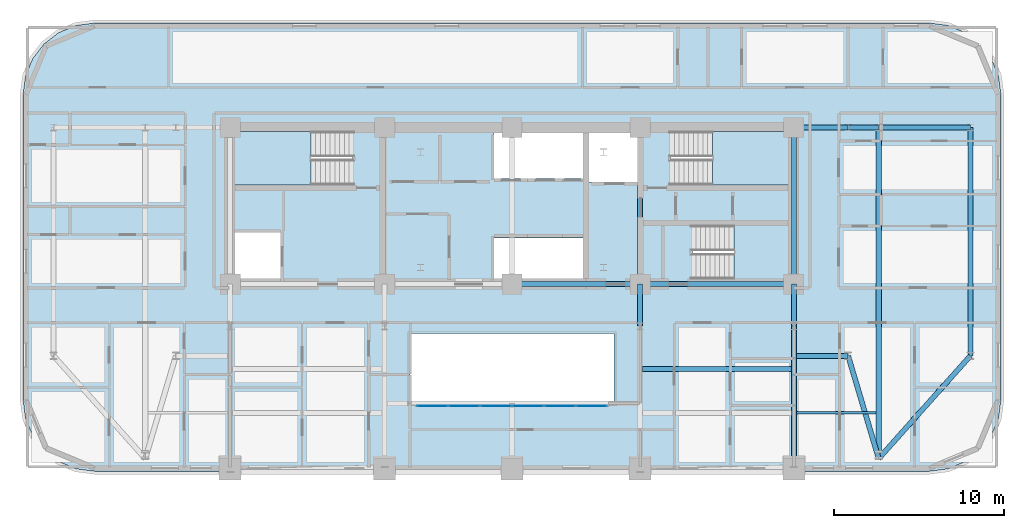
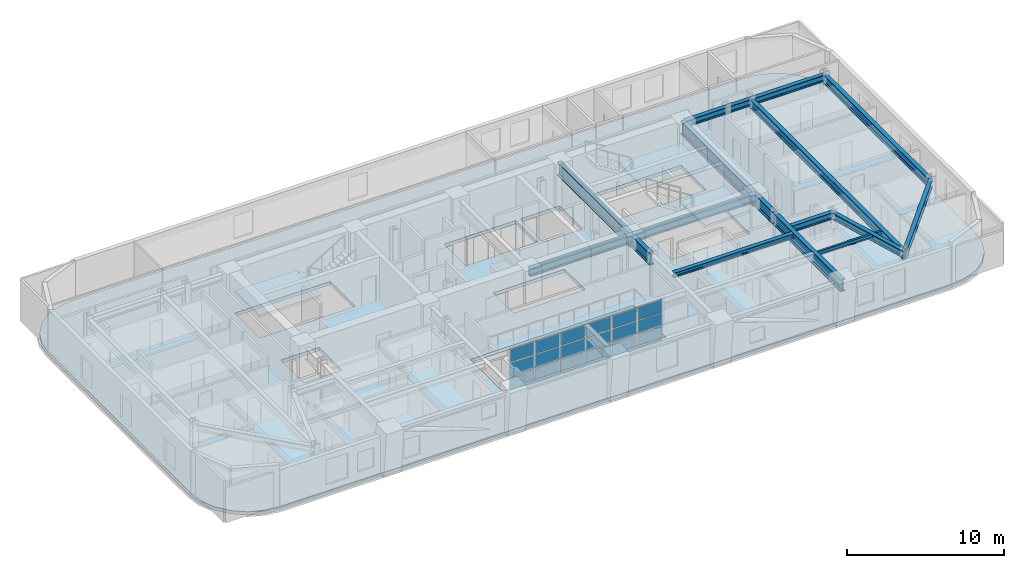
# One storey, part 6 of 16: 18 plates, 17 beams, 4 slabs, 4 elements without a shape of their own.
"""IFC4 building model written with IfcOpenShell, lengths in metres."""

from ifc_helpers import new_model, si_unit, direction, frame, origin, origin_2d, place, context, subcontext, project, spatial, polyline, rectangle, i_section, outline, extrude, material, layer, layer_set, material_profile, profile_set, type_object, element, aggregate, save


model = new_model("IFC4")

# Units and contexts
model_context = context("Model", 3, precision=1e-05, world=origin(), true_north=direction((0.0, 1.0)))
body_context = subcontext(model_context, "Body", "Model", "MODEL_VIEW")
ifc_project = project(units=[si_unit("LENGTHUNIT", "METRE"), si_unit("AREAUNIT", "SQUARE_METRE"), si_unit("VOLUMEUNIT", "CUBIC_METRE"), si_unit("PLANEANGLEUNIT", "RADIAN"), si_unit("MASSUNIT", "GRAM", prefix="KILO")], contexts=[model_context])

# Site, building, storey
site_placement = place(None, origin())
site = spatial("IfcSite", under=ifc_project, at=site_placement, CompositionType="ELEMENT")
building_placement = place(site_placement, origin())
building = spatial("IfcBuilding", under=site, at=building_placement, Name="Zarnavel Station Tower", CompositionType="ELEMENT")
storey_placement = place(building_placement, frame((0.0, 0.0, 101.300048828125)))
storey = spatial("IfcBuildingStorey", under=building, at=storey_placement, Name="L27", CompositionType="ELEMENT", Elevation=101.300048828125)

# Beams
ifc_material_1 = material(Name="Steel S355J2", Category="steel")
ifc_material_profile_1 = material_profile(ifc_material_1, i_section(OverallWidth=0.300048828125, OverallDepth=0.35009765625, WebThickness=0.010009765625, FlangeThickness=0.017578125, FilletRadius=0.027099609375, at=origin_2d()), Name="HEA360")
ifc_profile_set_1 = profile_set([ifc_material_profile_1], Name="Steel S355J2")
beam_type_1 = type_object("IfcBeamType", Name="FB_HEA360", PredefinedType="BEAM", material=ifc_profile_set_1)
beam_1_placement = place(storey_placement, frame((36.4951171875, 22.818115234375, 3.06494140625), z_axis=(1.0, 0.0, 0.0), x_axis=(0.0, 1.0, 0.0)))
element("IfcBeam", 1, at=beam_1_placement, inside=storey, type_object=beam_type_1, Name="L27 East Bay Beam 2", PredefinedType="BEAM", context=body_context, shape_type="SweptSolid", body=[
    extrude(i_section(OverallWidth=0.300048828125, OverallDepth=0.35009765625, WebThickness=0.010009765625, FlangeThickness=0.017578125, FilletRadius=0.027099609375, at=origin_2d()), origin(), (0.0, 0.0, 1.0), 8.759765625),
])
ifc_material_2 = material(Name="Steel S355J2", Category="steel")
ifc_material_profile_2 = material_profile(ifc_material_2, i_section(OverallWidth=0.300048828125, OverallDepth=0.5, WebThickness=0.014404296875, FlangeThickness=0.028076171875, FilletRadius=0.027099609375, at=origin_2d()), Name="HEB500")
ifc_profile_set_2 = profile_set([ifc_material_profile_2], Name="Steel S355J2")
beam_type_2 = type_object("IfcBeamType", Name="FG_HEB500", PredefinedType="USERDEFINED", material=ifc_profile_set_2)
for number, where, z_axis, x_axis, name in (
    (2, (45.544921875, 23.60009765625, 2.989990234375), (1.0, 0.0, 0.0), (0.0, 1.0, 0.0), "L27 East Wing South Tie 1"),
    (3, (45.544921875, 37.050048828125, 2.989990234375), (1.0, 0.0, 0.0), (0.0, 1.0, 0.0), "L27 East Wing North Tie 1"),
):
    element("IfcBeam", number, at=place(storey_placement, frame(where, z_axis=z_axis, x_axis=x_axis)), inside=storey, type_object=beam_type_2, Name=name, ObjectType="GIRDER", PredefinedType="USERDEFINED", context=body_context, shape_type="SweptSolid", body=[
        extrude(i_section(OverallWidth=0.300048828125, OverallDepth=0.5, WebThickness=0.014404296875, FlangeThickness=0.028076171875, FilletRadius=0.027099609375, at=origin_2d()), origin(), (0.0, 0.0, 1.0), 3.05517578125),
    ])
beam_2_placement = place(storey_placement, frame((48.60009765625, 23.60009765625, 2.989990234375), z_axis=(0.284935715394, -0.958546628022, 0.0), x_axis=(0.958546628022, 0.284935715394, 0.0)))
element("IfcBeam", 4, at=beam_2_placement, inside=storey, type_object=beam_type_2, Name="L27 East Wing South Tie 2", ObjectType="GIRDER", PredefinedType="USERDEFINED", context=body_context, shape_type="SweptSolid", body=[
    extrude(i_section(OverallWidth=0.300048828125, OverallDepth=0.5, WebThickness=0.014404296875, FlangeThickness=0.028076171875, FilletRadius=0.027099609375, at=origin_2d()), origin(), (0.0, 0.0, 1.0), 6.316650390625),
])
beam_3_placement = place(storey_placement, frame((48.60009765625, 37.050048828125, 2.989990234375), z_axis=(1.0, 0.0, 0.0), x_axis=(0.0, 1.0, 0.0)))
element("IfcBeam", 5, at=beam_3_placement, inside=storey, type_object=beam_type_2, Name="L27 East Wing North Tie 2", ObjectType="GIRDER", PredefinedType="USERDEFINED", context=body_context, shape_type="SweptSolid", body=[
    extrude(i_section(OverallWidth=0.300048828125, OverallDepth=0.5, WebThickness=0.014404296875, FlangeThickness=0.028076171875, FilletRadius=0.027099609375, at=origin_2d()), origin(), (0.0, 0.0, 1.0), 1.7998046875),
])
beam_4_placement = place(storey_placement, frame((50.39990234375, 17.54541015625, 2.989990234375), z_axis=(0.665616205895, 0.746294222442, 0.0), x_axis=(-0.746294222442, 0.665616205895, 0.0)))
element("IfcBeam", 6, at=beam_4_placement, inside=storey, type_object=beam_type_2, Name="L27 East Wing South Tie 3", ObjectType="GIRDER", PredefinedType="USERDEFINED", context=body_context, shape_type="SweptSolid", body=[
    extrude(i_section(OverallWidth=0.300048828125, OverallDepth=0.5, WebThickness=0.014404296875, FlangeThickness=0.028076171875, FilletRadius=0.027099609375, at=origin_2d()), origin(), (0.0, 0.0, 1.0), 8.113037109375),
])
beam_5_placement = place(storey_placement, frame((50.39990234375, 37.050048828125, 2.989990234375), z_axis=(1.0, 0.0, 0.0), x_axis=(0.0, 1.0, 0.0)))
element("IfcBeam", 7, at=beam_5_placement, inside=storey, type_object=beam_type_2, Name="L27 East Wing North Tie 3", ObjectType="GIRDER", PredefinedType="USERDEFINED", context=body_context, shape_type="SweptSolid", body=[
    extrude(i_section(OverallWidth=0.300048828125, OverallDepth=0.5, WebThickness=0.014404296875, FlangeThickness=0.028076171875, FilletRadius=0.027099609375, at=origin_2d()), origin(), (0.0, 0.0, 1.0), 5.400146484375),
])
ifc_material_3 = material(Name="Steel S355J2", Category="steel")
ifc_material_profile_3 = material_profile(ifc_material_3, i_section(OverallWidth=0.300048828125, OverallDepth=0.60009765625, WebThickness=0.015380859375, FlangeThickness=0.030029296875, FilletRadius=0.027099609375, at=origin_2d()), Name="HEB600")
ifc_profile_set_3 = profile_set([ifc_material_profile_3], Name="Steel S355J2")
beam_type_3 = type_object("IfcBeamType", Name="FG_HEB600", PredefinedType="USERDEFINED", material=ifc_profile_set_3)
beam_6_placement = place(storey_placement, frame((28.800048828125, 27.820068359375, 2.93994140625), z_axis=(1.0, 0.0, 0.0), x_axis=(0.0, 1.0, 0.0)))
element("IfcBeam", 8, at=beam_6_placement, inside=storey, type_object=beam_type_3, Name="L27 Core Front Coupling Beam 3", ObjectType="GIRDER", PredefinedType="USERDEFINED", context=body_context, shape_type="SweptSolid", body=[
    extrude(i_section(OverallWidth=0.300048828125, OverallDepth=0.60009765625, WebThickness=0.015380859375, FlangeThickness=0.030029296875, FilletRadius=0.027099609375, at=origin_2d()), origin(), (0.0, 0.0, 1.0), 7.550048828125),
])
beam_7_placement = place(storey_placement, frame((36.35009765625, 27.820068359375, 2.93994140625), z_axis=(1.0, 0.0, 0.0), x_axis=(0.0, 1.0, 0.0)))
element("IfcBeam", 9, at=beam_7_placement, inside=storey, type_object=beam_type_3, Name="L27 Core Front Coupling Beam 4", ObjectType="GIRDER", PredefinedType="USERDEFINED", context=body_context, shape_type="SweptSolid", body=[
    extrude(i_section(OverallWidth=0.300048828125, OverallDepth=0.60009765625, WebThickness=0.015380859375, FlangeThickness=0.030029296875, FilletRadius=0.027099609375, at=origin_2d()), origin(), (0.0, 0.0, 1.0), 9.0498046875),
])
ifc_material_4 = material(Name="Steel S355J2", Category="steel")
ifc_material_profile_4 = material_profile(ifc_material_4, i_section(OverallWidth=0.300048828125, OverallDepth=0.64990234375, WebThickness=0.01611328125, FlangeThickness=0.031005859375, FilletRadius=0.027099609375, at=origin_2d()), Name="HEB650")
ifc_profile_set_4 = profile_set([ifc_material_profile_4], Name="Steel S355J2")
beam_type_4 = type_object("IfcBeamType", Name="FG_HEB650", PredefinedType="USERDEFINED", material=ifc_profile_set_4)
beam_8_placement = place(storey_placement, frame((50.39990234375, 17.54541015625, 2.9150390625), z_axis=(0.0, 1.0, 0.0), x_axis=(-1.0, 0.0, 0.0)))
element("IfcBeam", 10, at=beam_8_placement, inside=storey, type_object=beam_type_4, Name="L27 Wing NS Girder 3", ObjectType="GIRDER", PredefinedType="USERDEFINED", context=body_context, shape_type="SweptSolid", body=[
    extrude(i_section(OverallWidth=0.300048828125, OverallDepth=0.64990234375, WebThickness=0.01611328125, FlangeThickness=0.031005859375, FilletRadius=0.027099609375, at=origin_2d()), origin(), (0.0, 0.0, 1.0), 19.504638671875),
])
beam_9_placement = place(storey_placement, frame((55.800048828125, 23.60009765625, 2.9150390625), z_axis=(0.0, 1.0, 0.0), x_axis=(-1.0, 0.0, 0.0)))
element("IfcBeam", 11, at=beam_9_placement, inside=storey, type_object=beam_type_4, Name="L27 Wing NS Girder 4", ObjectType="GIRDER", PredefinedType="USERDEFINED", context=body_context, shape_type="SweptSolid", body=[
    extrude(i_section(OverallWidth=0.300048828125, OverallDepth=0.64990234375, WebThickness=0.01611328125, FlangeThickness=0.031005859375, FilletRadius=0.027099609375, at=origin_2d()), origin(), (0.0, 0.0, 1.0), 13.449951171875),
])
ifc_material_5 = material(Name="Steel S355J2", Category="steel")
ifc_material_profile_5 = material_profile(ifc_material_5, i_section(OverallWidth=0.14990234375, OverallDepth=0.300048828125, WebThickness=0.007080078125, FlangeThickness=0.0107421875, FilletRadius=0.014892578125, at=origin_2d()), Name="IPE300")
ifc_profile_set_5 = profile_set([ifc_material_profile_5], Name="Steel S355J2")
beam_type_5 = type_object("IfcBeamType", Name="FJ_IPE300", PredefinedType="JOIST", material=ifc_profile_set_5)
beam_10_placement = place(storey_placement, frame((45.544921875, 20.236328125, 3.08984375), z_axis=(1.0, 0.0, 0.0), x_axis=(0.0, 1.0, 0.0)))
element("IfcBeam", 12, at=beam_10_placement, inside=storey, type_object=beam_type_5, Name="L27 East Wing Joist 1", PredefinedType="JOIST", context=body_context, shape_type="SweptSolid", body=[
    extrude(i_section(OverallWidth=0.14990234375, OverallDepth=0.300048828125, WebThickness=0.007080078125, FlangeThickness=0.0107421875, FilletRadius=0.014892578125, at=origin_2d()), origin(), (0.0, 0.0, 1.0), 4.7099609375),
])
ifc_material_6 = material(Name="Steel S460M", Category="steel")
ifc_material_profile_6 = material_profile(ifc_material_6, i_section(OverallWidth=0.302001953125, OverallDepth=1.008056640625, WebThickness=0.02099609375, FlangeThickness=0.0400390625, FilletRadius=0.030029296875, at=origin_2d()), Name="HEM1000")
ifc_profile_set_6 = profile_set([ifc_material_profile_6], Name="Steel S460M")
beam_type_6 = type_object("IfcBeamType", Name="TG_HEM1000", PredefinedType="USERDEFINED", material=ifc_profile_set_6)
for number, where, z_axis, x_axis, name in (
    (13, (36.35009765625, 27.820068359375, 2.73583984375), (0.0, 1.0, 0.0), (-1.0, 0.0, 0.0), "L27 Core Spine Coupling Girder 4"),
    (14, (45.39990234375, 27.820068359375, 2.73583984375), (0.0, 1.0, 0.0), (-1.0, 0.0, 0.0), "L27 Core Spine Coupling Girder 5"),
):
    element("IfcBeam", number, at=place(storey_placement, frame(where, z_axis=z_axis, x_axis=x_axis)), inside=storey, type_object=beam_type_6, Name=name, ObjectType="GIRDER", PredefinedType="USERDEFINED", context=body_context, shape_type="SweptSolid", body=[
        extrude(i_section(OverallWidth=0.302001953125, OverallDepth=1.008056640625, WebThickness=0.02099609375, FlangeThickness=0.0400390625, FilletRadius=0.030029296875, at=origin_2d()), origin(), (0.0, 0.0, 1.0), 9.22998046875),
    ])
ifc_material_7 = material(Name="Steel S460M", Category="steel")
ifc_material_profile_7 = material_profile(ifc_material_7, i_section(OverallWidth=0.302001953125, OverallDepth=0.909912109375, WebThickness=0.02099609375, FlangeThickness=0.0400390625, FilletRadius=0.030029296875, at=origin_2d()), Name="HEM900")
ifc_profile_set_7 = profile_set([ifc_material_profile_7], Name="Steel S460M")
beam_type_7 = type_object("IfcBeamType", Name="TG_HEM900", PredefinedType="USERDEFINED", material=ifc_profile_set_7)
beam_11_placement = place(storey_placement, frame((36.35009765625, 25.35009765625, 2.784912109375), z_axis=(0.0, 1.0, 0.0), x_axis=(-1.0, 0.0, 0.0)))
element("IfcBeam", 15, at=beam_11_placement, inside=storey, type_object=beam_type_7, Name="L27 Inner-Zone NS Girder 4", ObjectType="GIRDER", PredefinedType="USERDEFINED", context=body_context, shape_type="SweptSolid", body=[
    extrude(i_section(OverallWidth=0.302001953125, OverallDepth=0.909912109375, WebThickness=0.02099609375, FlangeThickness=0.0400390625, FilletRadius=0.030029296875, at=origin_2d()), origin(), (0.0, 0.0, 1.0), 2.469970703125),
])
beam_12_placement = place(storey_placement, frame((45.39990234375, 16.754638671875, 2.784912109375), z_axis=(0.0, 1.0, 0.0), x_axis=(-1.0, 0.0, 0.0)))
element("IfcBeam", 16, at=beam_12_placement, inside=storey, type_object=beam_type_7, Name="L27 South-Zone NS Girder 5", ObjectType="GIRDER", PredefinedType="USERDEFINED", context=body_context, shape_type="SweptSolid", body=[
    extrude(i_section(OverallWidth=0.302001953125, OverallDepth=0.909912109375, WebThickness=0.02099609375, FlangeThickness=0.0400390625, FilletRadius=0.030029296875, at=origin_2d()), origin(), (0.0, 0.0, 1.0), 8.595458984375),
])
beam_13_placement = place(storey_placement, frame((45.39990234375, 25.35009765625, 2.784912109375), z_axis=(0.0, 1.0, 0.0), x_axis=(-1.0, 0.0, 0.0)))
element("IfcBeam", 17, at=beam_13_placement, inside=storey, type_object=beam_type_7, Name="L27 Inner-Zone NS Girder 5", ObjectType="GIRDER", PredefinedType="USERDEFINED", context=body_context, shape_type="SweptSolid", body=[
    extrude(i_section(OverallWidth=0.302001953125, OverallDepth=0.909912109375, WebThickness=0.02099609375, FlangeThickness=0.0400390625, FilletRadius=0.030029296875, at=origin_2d()), origin(), (0.0, 0.0, 1.0), 2.469970703125),
])

# Curtain wall, plates
ifc_material_8 = material(Name="Aluminium Dark Anodised and Solar-Control Glass", Category="aluminium")
ifc_layer_1 = layer(ifc_material_8, 0.179931640625)
ifc_layer_set_1 = layer_set([ifc_layer_1], Name="CWS3")
curtain_wall_type = type_object("IfcCurtainWallType", Name="CWS3", PredefinedType="NOTDEFINED", material=ifc_layer_set_1)
curtain_wall_placement = place(storey_placement, origin())
curtain_wall = element("IfcCurtainWall", 18, at=curtain_wall_placement, inside=storey, type_object=curtain_wall_type, Name="L27 Curtain Wall CWS3-L27-AS", PredefinedType="NOTDEFINED")
ifc_material_9 = material(Name="Double Low-E Dark Solar-Control Glass", Category="glass")
ifc_layer_2 = layer(ifc_material_9, 0.030029296875)
ifc_layer_set_2 = layer_set([ifc_layer_2], Name="CWS3_PNL")
plate_type = type_object("IfcPlateType", Name="CWS3_PNL", PredefinedType="CURTAIN_PANEL", material=ifc_layer_set_2)
plate_1_placement = place(storey_placement, frame((24.106689453125, 20.64990234375, 0.06005859375), z_axis=(0.0, 0.0, 1.0), x_axis=(1.0, 0.0, 0.0)))
plate_1 = element("IfcPlate", 19, at=plate_1_placement, type_object=plate_type, Name="CW3 panel 1.1", PredefinedType="CURTAIN_PANEL", context=body_context, shape_type="SweptSolid", body=[
    extrude(rectangle(XDim=1.793212890625, YDim=0.028076171875, at=origin_2d()), origin(), (0.0, 0.0, 1.0), 0.989990234375),
])
plate_2_placement = place(storey_placement, frame((24.106689453125, 20.64990234375, 1.10986328125), z_axis=(0.0, 0.0, 1.0), x_axis=(1.0, 0.0, 0.0)))
plate_2 = element("IfcPlate", 20, at=plate_2_placement, type_object=plate_type, Name="CW3 panel 1.2", PredefinedType="CURTAIN_PANEL", context=body_context, shape_type="SweptSolid", body=[
    extrude(rectangle(XDim=1.793212890625, YDim=0.028076171875, at=origin_2d()), origin(), (0.0, 0.0, 1.0), 1.02001953125),
])
plate_3_placement = place(storey_placement, frame((24.106689453125, 20.64990234375, 2.18994140625), z_axis=(0.0, 0.0, 1.0), x_axis=(1.0, 0.0, 0.0)))
plate_3 = element("IfcPlate", 21, at=plate_3_placement, type_object=plate_type, Name="CW3 panel 1.3", PredefinedType="CURTAIN_PANEL", context=body_context, shape_type="SweptSolid", body=[
    extrude(rectangle(XDim=1.793212890625, YDim=0.028076171875, at=origin_2d()), origin(), (0.0, 0.0, 1.0), 0.989990234375),
])
plate_4_placement = place(storey_placement, frame((25.97509765625, 20.64990234375, 0.06005859375), z_axis=(0.0, 0.0, 1.0), x_axis=(1.0, 0.0, 0.0)))
plate_4 = element("IfcPlate", 22, at=plate_4_placement, type_object=plate_type, Name="CW3 panel 2.1", PredefinedType="CURTAIN_PANEL", context=body_context, shape_type="SweptSolid", body=[
    extrude(rectangle(XDim=1.8232421875, YDim=0.028076171875, at=origin_2d()), origin(), (0.0, 0.0, 1.0), 0.989990234375),
])
plate_5_placement = place(storey_placement, frame((25.97509765625, 20.64990234375, 1.10986328125), z_axis=(0.0, 0.0, 1.0), x_axis=(1.0, 0.0, 0.0)))
plate_5 = element("IfcPlate", 23, at=plate_5_placement, type_object=plate_type, Name="CW3 panel 2.2", PredefinedType="CURTAIN_PANEL", context=body_context, shape_type="SweptSolid", body=[
    extrude(rectangle(XDim=1.8232421875, YDim=0.028076171875, at=origin_2d()), origin(), (0.0, 0.0, 1.0), 1.02001953125),
])
plate_6_placement = place(storey_placement, frame((25.97509765625, 20.64990234375, 2.18994140625), z_axis=(0.0, 0.0, 1.0), x_axis=(1.0, 0.0, 0.0)))
plate_6 = element("IfcPlate", 24, at=plate_6_placement, type_object=plate_type, Name="CW3 panel 2.3", PredefinedType="CURTAIN_PANEL", context=body_context, shape_type="SweptSolid", body=[
    extrude(rectangle(XDim=1.8232421875, YDim=0.028076171875, at=origin_2d()), origin(), (0.0, 0.0, 1.0), 0.989990234375),
])
plate_7_placement = place(storey_placement, frame((27.8583984375, 20.64990234375, 0.06005859375), z_axis=(0.0, 0.0, 1.0), x_axis=(1.0, 0.0, 0.0)))
plate_7 = element("IfcPlate", 25, at=plate_7_placement, type_object=plate_type, Name="CW3 panel 3.1", PredefinedType="CURTAIN_PANEL", context=body_context, shape_type="SweptSolid", body=[
    extrude(rectangle(XDim=1.8232421875, YDim=0.028076171875, at=origin_2d()), origin(), (0.0, 0.0, 1.0), 0.989990234375),
])
plate_8_placement = place(storey_placement, frame((27.8583984375, 20.64990234375, 1.10986328125), z_axis=(0.0, 0.0, 1.0), x_axis=(1.0, 0.0, 0.0)))
plate_8 = element("IfcPlate", 26, at=plate_8_placement, type_object=plate_type, Name="CW3 panel 3.2", PredefinedType="CURTAIN_PANEL", context=body_context, shape_type="SweptSolid", body=[
    extrude(rectangle(XDim=1.8232421875, YDim=0.028076171875, at=origin_2d()), origin(), (0.0, 0.0, 1.0), 1.02001953125),
])
plate_9_placement = place(storey_placement, frame((27.8583984375, 20.64990234375, 2.18994140625), z_axis=(0.0, 0.0, 1.0), x_axis=(1.0, 0.0, 0.0)))
plate_9 = element("IfcPlate", 27, at=plate_9_placement, type_object=plate_type, Name="CW3 panel 3.3", PredefinedType="CURTAIN_PANEL", context=body_context, shape_type="SweptSolid", body=[
    extrude(rectangle(XDim=1.8232421875, YDim=0.028076171875, at=origin_2d()), origin(), (0.0, 0.0, 1.0), 0.989990234375),
])
plate_10_placement = place(storey_placement, frame((29.74169921875, 20.64990234375, 0.06005859375), z_axis=(0.0, 0.0, 1.0), x_axis=(1.0, 0.0, 0.0)))
plate_10 = element("IfcPlate", 28, at=plate_10_placement, type_object=plate_type, Name="CW3 panel 4.1", PredefinedType="CURTAIN_PANEL", context=body_context, shape_type="SweptSolid", body=[
    extrude(rectangle(XDim=1.8232421875, YDim=0.028076171875, at=origin_2d()), origin(), (0.0, 0.0, 1.0), 0.989990234375),
])
plate_11_placement = place(storey_placement, frame((29.74169921875, 20.64990234375, 1.10986328125), z_axis=(0.0, 0.0, 1.0), x_axis=(1.0, 0.0, 0.0)))
plate_11 = element("IfcPlate", 29, at=plate_11_placement, type_object=plate_type, Name="CW3 panel 4.2", PredefinedType="CURTAIN_PANEL", context=body_context, shape_type="SweptSolid", body=[
    extrude(rectangle(XDim=1.8232421875, YDim=0.028076171875, at=origin_2d()), origin(), (0.0, 0.0, 1.0), 1.02001953125),
])
plate_12_placement = place(storey_placement, frame((29.74169921875, 20.64990234375, 2.18994140625), z_axis=(0.0, 0.0, 1.0), x_axis=(1.0, 0.0, 0.0)))
plate_12 = element("IfcPlate", 30, at=plate_12_placement, type_object=plate_type, Name="CW3 panel 4.3", PredefinedType="CURTAIN_PANEL", context=body_context, shape_type="SweptSolid", body=[
    extrude(rectangle(XDim=1.8232421875, YDim=0.028076171875, at=origin_2d()), origin(), (0.0, 0.0, 1.0), 0.989990234375),
])
plate_13_placement = place(storey_placement, frame((31.625, 20.64990234375, 0.06005859375), z_axis=(0.0, 0.0, 1.0), x_axis=(1.0, 0.0, 0.0)))
plate_13 = element("IfcPlate", 31, at=plate_13_placement, type_object=plate_type, Name="CW3 panel 5.1", PredefinedType="CURTAIN_PANEL", context=body_context, shape_type="SweptSolid", body=[
    extrude(rectangle(XDim=1.8232421875, YDim=0.028076171875, at=origin_2d()), origin(), (0.0, 0.0, 1.0), 0.989990234375),
])
plate_14_placement = place(storey_placement, frame((31.625, 20.64990234375, 1.10986328125), z_axis=(0.0, 0.0, 1.0), x_axis=(1.0, 0.0, 0.0)))
plate_14 = element("IfcPlate", 32, at=plate_14_placement, type_object=plate_type, Name="CW3 panel 5.2", PredefinedType="CURTAIN_PANEL", context=body_context, shape_type="SweptSolid", body=[
    extrude(rectangle(XDim=1.8232421875, YDim=0.028076171875, at=origin_2d()), origin(), (0.0, 0.0, 1.0), 1.02001953125),
])
plate_15_placement = place(storey_placement, frame((31.625, 20.64990234375, 2.18994140625), z_axis=(0.0, 0.0, 1.0), x_axis=(1.0, 0.0, 0.0)))
plate_15 = element("IfcPlate", 33, at=plate_15_placement, type_object=plate_type, Name="CW3 panel 5.3", PredefinedType="CURTAIN_PANEL", context=body_context, shape_type="SweptSolid", body=[
    extrude(rectangle(XDim=1.8232421875, YDim=0.028076171875, at=origin_2d()), origin(), (0.0, 0.0, 1.0), 0.989990234375),
])
plate_16_placement = place(storey_placement, frame((33.493408203125, 20.64990234375, 0.06005859375), z_axis=(0.0, 0.0, 1.0), x_axis=(1.0, 0.0, 0.0)))
plate_16 = element("IfcPlate", 34, at=plate_16_placement, type_object=plate_type, Name="CW3 panel 6.1", PredefinedType="CURTAIN_PANEL", context=body_context, shape_type="SweptSolid", body=[
    extrude(rectangle(XDim=1.793212890625, YDim=0.028076171875, at=origin_2d()), origin(), (0.0, 0.0, 1.0), 0.989990234375),
])
plate_17_placement = place(storey_placement, frame((33.493408203125, 20.64990234375, 1.10986328125), z_axis=(0.0, 0.0, 1.0), x_axis=(1.0, 0.0, 0.0)))
plate_17 = element("IfcPlate", 35, at=plate_17_placement, type_object=plate_type, Name="CW3 panel 6.2", PredefinedType="CURTAIN_PANEL", context=body_context, shape_type="SweptSolid", body=[
    extrude(rectangle(XDim=1.793212890625, YDim=0.028076171875, at=origin_2d()), origin(), (0.0, 0.0, 1.0), 1.02001953125),
])
plate_18_placement = place(storey_placement, frame((33.493408203125, 20.64990234375, 2.18994140625), z_axis=(0.0, 0.0, 1.0), x_axis=(1.0, 0.0, 0.0)))
plate_18 = element("IfcPlate", 36, at=plate_18_placement, type_object=plate_type, Name="CW3 panel 6.3", PredefinedType="CURTAIN_PANEL", context=body_context, shape_type="SweptSolid", body=[
    extrude(rectangle(XDim=1.793212890625, YDim=0.028076171875, at=origin_2d()), origin(), (0.0, 0.0, 1.0), 0.989990234375),
])
aggregate(curtain_wall, [plate_1, plate_2, plate_3, plate_4, plate_5, plate_6, plate_7, plate_8, plate_9, plate_10, plate_11, plate_12, plate_13, plate_14, plate_15, plate_16, plate_17, plate_18])

# Slab
ifc_material_10 = material(Name="Concrete C45/55", Category="concrete")
ifc_layer_3 = layer(ifc_material_10, 0.260009765625)
ifc_layer_set_3 = layer_set([ifc_layer_3], Name="SL_FLR_260")
slab_type_1 = type_object("IfcSlabType", Name="SL_FLR_260", PredefinedType="FLOOR", material=ifc_layer_set_3)
slab_1_placement = place(storey_placement, frame((0.0, 0.0, -0.260009765625)))
element("IfcSlab", 37, at=slab_1_placement, inside=storey, type_object=slab_type_1, Name="L27 Structural Floor Slab", PredefinedType="FLOOR", context=body_context, shape_type="SweptSolid", body=[
    extrude(outline(polyline([(53.39990234375, 16.800048828125), (54.487060546875, 16.943115234375), (55.5, 17.36279296875), (56.369873046875, 18.0302734375), (57.037353515625, 18.89990234375), (57.456787109375, 19.9130859375), (57.60009765625, 21.0), (57.60009765625, 39.0), (57.456787109375, 40.0869140625), (57.037353515625, 41.10009765625), (56.369873046875, 41.9697265625), (55.5, 42.63720703125), (54.487060546875, 43.056884765625), (53.39990234375, 43.199951171875), (4.199951171875, 43.199951171875), (3.113037109375, 43.056884765625), (2.10009765625, 42.63720703125), (1.230224609375, 41.9697265625), (0.562744140625, 41.10009765625), (0.14306640625, 40.0869140625), (0.0, 39.0), (0.0, 21.0), (0.14306640625, 19.9130859375), (0.562744140625, 18.89990234375), (1.230224609375, 18.0302734375), (2.10009765625, 17.36279296875), (3.113037109375, 16.943115234375), (4.199951171875, 16.800048828125), (53.39990234375, 16.800048828125)]), holes=[polyline([(12.39990234375, 33.659912109375), (19.409912109375, 33.659912109375), (19.409912109375, 36.820068359375), (12.39990234375, 36.820068359375), (12.39990234375, 33.659912109375)]), polyline([(38.14990234375, 33.659912109375), (45.159912109375, 33.659912109375), (45.159912109375, 36.820068359375), (38.14990234375, 36.820068359375), (38.14990234375, 33.659912109375)]), polyline([(39.419921875, 28.1201171875), (45.14990234375, 28.1201171875), (45.14990234375, 31.280029296875), (39.419921875, 31.280029296875), (39.419921875, 28.1201171875)]), polyline([(12.35009765625, 27.949951171875), (15.14990234375, 27.949951171875), (15.14990234375, 30.85009765625), (12.35009765625, 30.85009765625), (12.35009765625, 27.949951171875)]), polyline([(33.320068359375, 33.85009765625), (36.2099609375, 33.85009765625), (36.2099609375, 36.780029296875), (33.320068359375, 36.780029296875), (33.320068359375, 33.85009765625)]), polyline([(27.75, 34.050048828125), (32.97998046875, 34.050048828125), (32.97998046875, 36.780029296875), (27.75, 36.780029296875), (27.75, 34.050048828125)]), polyline([(27.75, 27.949951171875), (32.97998046875, 27.949951171875), (32.97998046875, 30.550048828125), (27.75, 30.550048828125), (27.75, 27.949951171875)]), polyline([(22.800048828125, 20.800048828125), (34.800048828125, 20.800048828125), (34.800048828125, 24.89990234375), (22.800048828125, 24.89990234375), (22.800048828125, 20.800048828125)])]), origin(), (0.0, 0.0, 1.0), 0.260009765625),
])

# Stair, slab
ifc_material_11 = material(Name="Concrete C45/55", Category="concrete")
stair_type = type_object("IfcStairType", Name="ST_CORE_150", PredefinedType="HALF_TURN_STAIR", material=ifc_material_11)
stair_1_placement = place(storey_placement, origin())
stair_1 = element("IfcStair", 38, at=stair_1_placement, inside=storey, type_object=stair_type, Name="L27 Core Exit Stair ST1", PredefinedType="HALF_TURN_STAIR")
ifc_material_12 = material(Name="Concrete C45/55", Category="concrete")
ifc_layer_4 = layer(ifc_material_12, 0.199951171875)
ifc_layer_set_4 = layer_set([ifc_layer_4], Name="SL_STAIR_LAND_200")
slab_type_2 = type_object("IfcSlabType", Name="SL_STAIR_LAND_200", PredefinedType="LANDING", material=ifc_layer_set_4)
slab_2_placement = place(storey_placement, frame((0.0, 0.0, 1.550048828125)))
slab_2 = element("IfcSlab", 39, at=slab_2_placement, type_object=slab_type_2, Name="ST1 landing 1", PredefinedType="LANDING", context=body_context, shape_type="SweptSolid", body=[
    extrude(outline(polyline([(16.9599609375, 36.820068359375), (12.39990234375, 36.820068359375), (12.39990234375, 33.659912109375), (16.9599609375, 33.659912109375), (16.9599609375, 36.820068359375)])), origin(), (0.0, 0.0, 1.0), 0.199951171875),
])
aggregate(stair_1, [slab_2])

stair_2_placement = place(storey_placement, origin())
stair_2 = element("IfcStair", 40, at=stair_2_placement, inside=storey, type_object=stair_type, Name="L27 Core Exit Stair ST2", PredefinedType="HALF_TURN_STAIR")
slab_3_placement = place(storey_placement, frame((0.0, 0.0, 1.550048828125)))
slab_3 = element("IfcSlab", 41, at=slab_3_placement, type_object=slab_type_2, Name="ST2 landing 1", PredefinedType="LANDING", context=body_context, shape_type="SweptSolid", body=[
    extrude(outline(polyline([(40.60009765625, 33.659912109375), (45.159912109375, 33.659912109375), (45.159912109375, 36.820068359375), (40.60009765625, 36.820068359375), (40.60009765625, 33.659912109375)])), origin(), (0.0, 0.0, 1.0), 0.199951171875),
])
aggregate(stair_2, [slab_3])

stair_3_placement = place(storey_placement, origin())
stair_3 = element("IfcStair", 42, at=stair_3_placement, inside=storey, type_object=stair_type, Name="L27 Core Exit Stair ST3", PredefinedType="HALF_TURN_STAIR")
slab_4_placement = place(storey_placement, frame((0.0, 0.0, 1.550048828125)))
slab_4 = element("IfcSlab", 43, at=slab_4_placement, type_object=slab_type_2, Name="ST3 landing 1", PredefinedType="LANDING", context=body_context, shape_type="SweptSolid", body=[
    extrude(outline(polyline([(41.8701171875, 28.1201171875), (45.14990234375, 28.1201171875), (45.14990234375, 31.280029296875), (41.8701171875, 31.280029296875), (41.8701171875, 28.1201171875)])), origin(), (0.0, 0.0, 1.0), 0.199951171875),
])
aggregate(stair_3, [slab_4])

save(model, "model.ifc")
